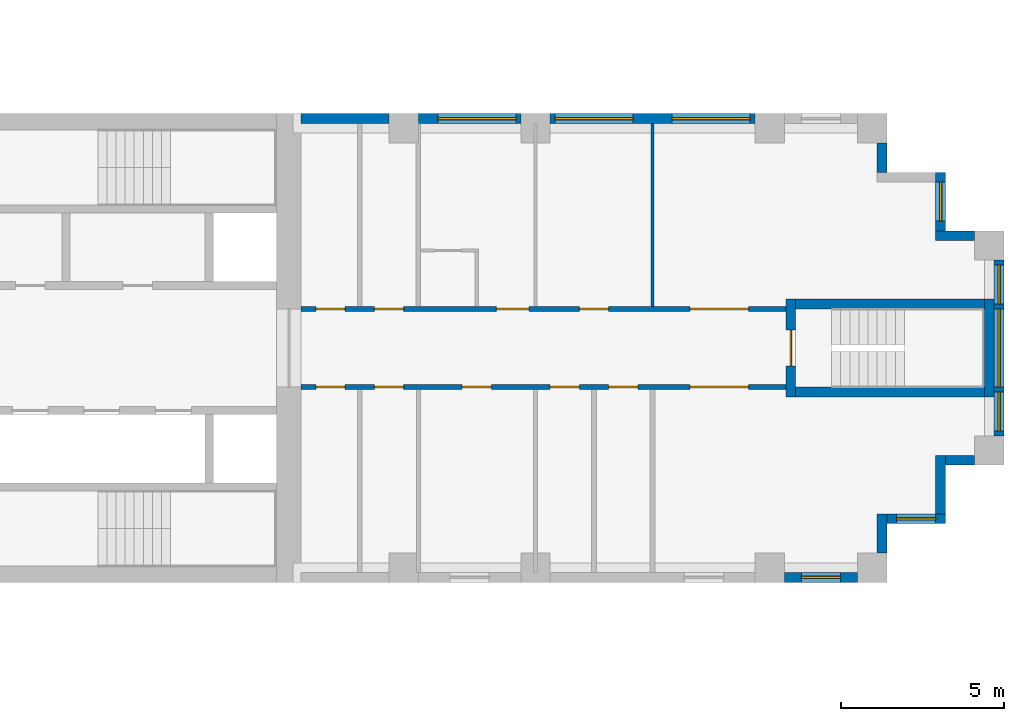
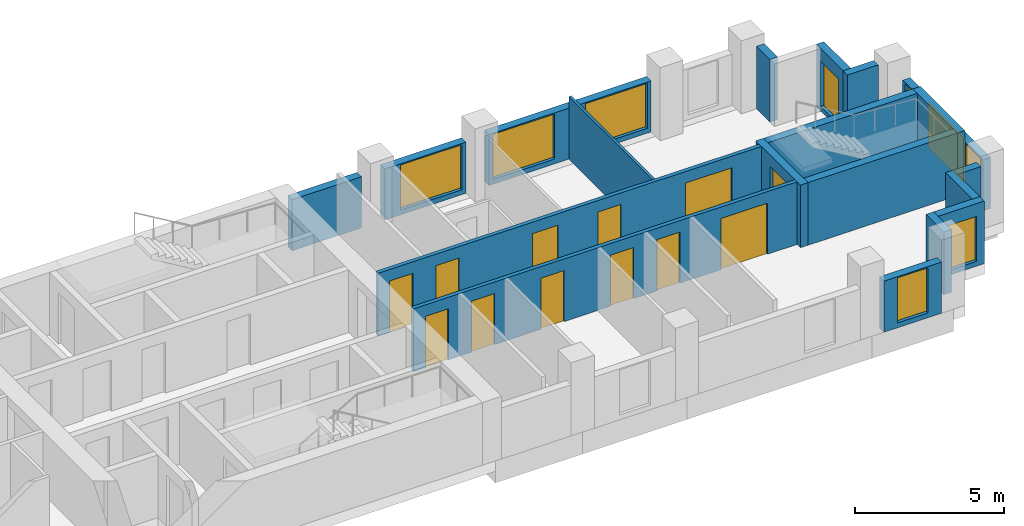
# One storey, part 10 of 13: 19 walls, 12 doors, 9 windows, 21 openings.
"""IFC4 building model written with IfcOpenShell, lengths in metres."""

from ifc_helpers import new_model, si_unit, direction, frame, frame_2d, origin, place, context, subcontext, project, spatial, rectangle, extrude, material, layer, layer_set, type_object, element, fill, save


model = new_model("IFC4")

# Units and contexts
model_context = context("Model", 3, precision=1e-05, world=origin(), true_north=direction((0.0, 1.0)))
body_context = subcontext(model_context, "Body", "Model", "MODEL_VIEW")
ifc_project = project(units=[si_unit("LENGTHUNIT", "METRE"), si_unit("AREAUNIT", "SQUARE_METRE"), si_unit("VOLUMEUNIT", "CUBIC_METRE"), si_unit("PLANEANGLEUNIT", "RADIAN"), si_unit("MASSUNIT", "GRAM", prefix="KILO")], contexts=[model_context])

# Site, building, storey
site_placement = place(None, origin())
site = spatial("IfcSite", under=ifc_project, at=site_placement, CompositionType="ELEMENT")
building_placement = place(site_placement, origin())
building = spatial("IfcBuilding", under=site, at=building_placement, Name="Fustian Cross Tower", CompositionType="ELEMENT")
storey_placement = place(building_placement, frame((0.0, 0.0, 81.89990234375)))
storey = spatial("IfcBuildingStorey", under=building, at=storey_placement, Name="L25", CompositionType="ELEMENT", Elevation=81.89990234375)

# Wall, openings, doors
ifc_material_1 = material(Name="Plasterboard on steel stud", Category="steel")
ifc_layer_1 = layer(ifc_material_1, 0.14990234375)
ifc_layer_set_1 = layer_set([ifc_layer_1], Name="Plasterboard on steel stud")
wall_type_1 = type_object("IfcWallType", Name="COMPARTMENT WALL 150 EI 60", PredefinedType="PARTITIONING", material=ifc_layer_set_1)
wall_1_placement = place(storey_placement, frame((21.60009765625, -1.199951171875, 0.0), z_axis=(0.0, 0.0, 1.0), x_axis=(1.0, 0.0, 0.0)))
wall_1 = element("IfcWall", 1, at=wall_1_placement, inside=storey, type_object=wall_type_1, Name="Partition 55", PredefinedType="PARTITIONING", context=body_context, shape_type="SweptSolid", body=[
    extrude(rectangle(XDim=14.89990234375, YDim=0.14990234375, at=frame_2d((7.449951171875, 0.0))), origin(), (0.0, 0.0, 1.0), 2.5751953125),
])
opening_1_placement = place(wall_1_placement, frame((0.449951171875, 0.0, 0.0)))
opening_1 = element("IfcOpeningElement", 2, at=opening_1_placement, cuts=wall_1, Name="Opening D12015", PredefinedType="OPENING", context=body_context, shape_type="SweptSolid", body=[
    extrude(rectangle(XDim=0.89990234375, YDim=2.10009765625, at=frame_2d((0.449951171875, 1.050048828125))), frame((0.0, 0.0849609375, 0.0), z_axis=(0.0, -1.0, 0.0), x_axis=(1.0, 0.0, 0.0)), (0.0, 0.0, 1.0), 0.169921875),
])
opening_2_placement = place(wall_1_placement, frame((2.25, 0.0, 0.0)))
opening_2 = element("IfcOpeningElement", 3, at=opening_2_placement, cuts=wall_1, Name="Opening D12016", PredefinedType="OPENING", context=body_context, shape_type="SweptSolid", body=[
    extrude(rectangle(XDim=0.89990234375, YDim=2.10009765625, at=frame_2d((0.449951171875, 1.050048828125))), frame((0.0, 0.0849609375, 0.0), z_axis=(0.0, -1.0, 0.0), x_axis=(1.0, 0.0, 0.0)), (0.0, 0.0, 1.0), 0.169921875),
])
opening_3_placement = place(wall_1_placement, frame((4.949951171875, 0.0, 0.0)))
opening_3 = element("IfcOpeningElement", 4, at=opening_3_placement, cuts=wall_1, Name="Opening D12017", PredefinedType="OPENING", context=body_context, shape_type="SweptSolid", body=[
    extrude(rectangle(XDim=0.89990234375, YDim=2.10009765625, at=frame_2d((0.449951171875, 1.050048828125))), frame((0.0, 0.0849609375, 0.0), z_axis=(0.0, -1.0, 0.0), x_axis=(1.0, 0.0, 0.0)), (0.0, 0.0, 1.0), 0.169921875),
])
opening_4_placement = place(wall_1_placement, frame((7.64990234375, 0.0, 0.0)))
opening_4 = element("IfcOpeningElement", 5, at=opening_4_placement, cuts=wall_1, Name="Opening D12018", PredefinedType="OPENING", context=body_context, shape_type="SweptSolid", body=[
    extrude(rectangle(XDim=0.89990234375, YDim=2.10009765625, at=frame_2d((0.449951171875, 1.050048828125))), frame((0.0, 0.0849609375, 0.0), z_axis=(0.0, -1.0, 0.0), x_axis=(1.0, 0.0, 0.0)), (0.0, 0.0, 1.0), 0.169921875),
])
opening_5_placement = place(wall_1_placement, frame((9.449951171875, 0.0, 0.0)))
opening_5 = element("IfcOpeningElement", 6, at=opening_5_placement, cuts=wall_1, Name="Opening D12019", PredefinedType="OPENING", context=body_context, shape_type="SweptSolid", body=[
    extrude(rectangle(XDim=0.89990234375, YDim=2.10009765625, at=frame_2d((0.449951171875, 1.050048828125))), frame((0.0, 0.0849609375, 0.0), z_axis=(0.0, -1.0, 0.0), x_axis=(1.0, 0.0, 0.0)), (0.0, 0.0, 1.0), 0.169921875),
])
opening_6_placement = place(wall_1_placement, frame((11.949951171875, 0.0, 0.0)))
opening_6 = element("IfcOpeningElement", 7, at=opening_6_placement, cuts=wall_1, Name="Opening D12020", PredefinedType="OPENING", context=body_context, shape_type="SweptSolid", body=[
    extrude(rectangle(XDim=1.800048828125, YDim=2.10009765625, at=frame_2d((0.89990234375, 1.050048828125))), frame((0.0, 0.0849609375, 0.0), z_axis=(0.0, -1.0, 0.0), x_axis=(1.0, 0.0, 0.0)), (0.0, 0.0, 1.0), 0.169921875),
])
ifc_material_2 = material(Name="Timber fire door set", Category="wood")
door_type_1 = type_object("IfcDoorType", Name="FIRE DOUBLE DOOR 1800 FD30S", OperationType="DOUBLE_DOOR_DOUBLE_SWING", PredefinedType="DOOR", material=ifc_material_2)
door_1_placement = place(opening_6_placement, origin())
door_1 = element("IfcDoor", 8, at=door_1_placement, inside=storey, type_object=door_type_1, Name="Door D12020", OperationType="DOUBLE_DOOR_DOUBLE_SWING", OverallHeight=2.10009765625, OverallWidth=1.800048828125, PredefinedType="DOOR", context=body_context, shape_type="SweptSolid", body=[
    extrude(rectangle(XDim=1.800048828125, YDim=2.10009765625, at=frame_2d((0.89990234375, 1.050048828125))), frame((0.0, 0.02490234375, 0.0), z_axis=(0.0, -1.0, 0.0), x_axis=(1.0, 0.0, 0.0)), (0.0, 0.0, 1.0), 0.050048828125),
])
fill(opening_6, door_1)
ifc_material_3 = material(Name="Timber fire door set", Category="wood")
door_type_2 = type_object("IfcDoorType", Name="FIRE SWING DOOR 900 FD30S", OperationType="SINGLE_SWING_LEFT", PredefinedType="DOOR", material=ifc_material_3)
door_2_placement = place(opening_1_placement, frame((0.89990234375, 0.0, 0.0), z_axis=(0.0, 0.0, 1.0), x_axis=(-1.0, 0.0, 0.0)))
door_2 = element("IfcDoor", 9, at=door_2_placement, inside=storey, type_object=door_type_2, Name="Door D12015", OperationType="SINGLE_SWING_LEFT", OverallHeight=2.10009765625, OverallWidth=0.89990234375, PredefinedType="DOOR", context=body_context, shape_type="SweptSolid", body=[
    extrude(rectangle(XDim=0.89990234375, YDim=2.10009765625, at=frame_2d((0.449951171875, 1.050048828125))), frame((0.0, 0.02490234375, 0.0), z_axis=(0.0, -1.0, 0.0), x_axis=(1.0, 0.0, 0.0)), (0.0, 0.0, 1.0), 0.050048828125),
])
fill(opening_1, door_2)
door_3_placement = place(opening_2_placement, frame((0.89990234375, 0.0, 0.0), z_axis=(0.0, 0.0, 1.0), x_axis=(-1.0, 0.0, 0.0)))
door_3 = element("IfcDoor", 10, at=door_3_placement, inside=storey, type_object=door_type_2, Name="Door D12016", OperationType="SINGLE_SWING_LEFT", OverallHeight=2.10009765625, OverallWidth=0.89990234375, PredefinedType="DOOR", context=body_context, shape_type="SweptSolid", body=[
    extrude(rectangle(XDim=0.89990234375, YDim=2.10009765625, at=frame_2d((0.449951171875, 1.050048828125))), frame((0.0, 0.02490234375, 0.0), z_axis=(0.0, -1.0, 0.0), x_axis=(1.0, 0.0, 0.0)), (0.0, 0.0, 1.0), 0.050048828125),
])
fill(opening_2, door_3)
door_4_placement = place(opening_3_placement, frame((0.89990234375, 0.0, 0.0), z_axis=(0.0, 0.0, 1.0), x_axis=(-1.0, 0.0, 0.0)))
door_4 = element("IfcDoor", 11, at=door_4_placement, inside=storey, type_object=door_type_2, Name="Door D12017", OperationType="SINGLE_SWING_RIGHT", OverallHeight=2.10009765625, OverallWidth=0.89990234375, PredefinedType="DOOR", context=body_context, shape_type="SweptSolid", body=[
    extrude(rectangle(XDim=0.89990234375, YDim=2.10009765625, at=frame_2d((0.449951171875, 1.050048828125))), frame((0.0, 0.02490234375, 0.0), z_axis=(0.0, -1.0, 0.0), x_axis=(1.0, 0.0, 0.0)), (0.0, 0.0, 1.0), 0.050048828125),
])
fill(opening_3, door_4)
door_5_placement = place(opening_4_placement, frame((0.89990234375, 0.0, 0.0), z_axis=(0.0, 0.0, 1.0), x_axis=(-1.0, 0.0, 0.0)))
door_5 = element("IfcDoor", 12, at=door_5_placement, inside=storey, type_object=door_type_2, Name="Door D12018", OperationType="SINGLE_SWING_LEFT", OverallHeight=2.10009765625, OverallWidth=0.89990234375, PredefinedType="DOOR", context=body_context, shape_type="SweptSolid", body=[
    extrude(rectangle(XDim=0.89990234375, YDim=2.10009765625, at=frame_2d((0.449951171875, 1.050048828125))), frame((0.0, 0.02490234375, 0.0), z_axis=(0.0, -1.0, 0.0), x_axis=(1.0, 0.0, 0.0)), (0.0, 0.0, 1.0), 0.050048828125),
])
fill(opening_4, door_5)
door_6_placement = place(opening_5_placement, frame((0.89990234375, 0.0, 0.0), z_axis=(0.0, 0.0, 1.0), x_axis=(-1.0, 0.0, 0.0)))
door_6 = element("IfcDoor", 13, at=door_6_placement, inside=storey, type_object=door_type_2, Name="Door D12019", OperationType="SINGLE_SWING_LEFT", OverallHeight=2.10009765625, OverallWidth=0.89990234375, PredefinedType="DOOR", context=body_context, shape_type="SweptSolid", body=[
    extrude(rectangle(XDim=0.89990234375, YDim=2.10009765625, at=frame_2d((0.449951171875, 1.050048828125))), frame((0.0, 0.02490234375, 0.0), z_axis=(0.0, -1.0, 0.0), x_axis=(1.0, 0.0, 0.0)), (0.0, 0.0, 1.0), 0.050048828125),
])
fill(opening_5, door_6)

wall_2_placement = place(storey_placement, frame((21.60009765625, 1.199951171875, 0.0), z_axis=(0.0, 0.0, 1.0), x_axis=(1.0, 0.0, 0.0)))
wall_2 = element("IfcWall", 14, at=wall_2_placement, inside=storey, type_object=wall_type_1, Name="Partition 56", PredefinedType="PARTITIONING", context=body_context, shape_type="SweptSolid", body=[
    extrude(rectangle(XDim=14.89990234375, YDim=0.14990234375, at=frame_2d((7.449951171875, 0.0))), origin(), (0.0, 0.0, 1.0), 2.5751953125),
])
opening_7_placement = place(wall_2_placement, frame((0.449951171875, 0.0, 0.0)))
opening_7 = element("IfcOpeningElement", 15, at=opening_7_placement, cuts=wall_2, Name="Opening D12009", PredefinedType="OPENING", context=body_context, shape_type="SweptSolid", body=[
    extrude(rectangle(XDim=0.89990234375, YDim=2.10009765625, at=frame_2d((0.449951171875, 1.050048828125))), frame((0.0, 0.0849609375, 0.0), z_axis=(0.0, -1.0, 0.0), x_axis=(1.0, 0.0, 0.0)), (0.0, 0.0, 1.0), 0.169921875),
])
opening_8_placement = place(wall_2_placement, frame((2.25, 0.0, 0.0)))
opening_8 = element("IfcOpeningElement", 16, at=opening_8_placement, cuts=wall_2, Name="Opening D12010", PredefinedType="OPENING", context=body_context, shape_type="SweptSolid", body=[
    extrude(rectangle(XDim=0.89990234375, YDim=2.10009765625, at=frame_2d((0.449951171875, 1.050048828125))), frame((0.0, 0.0849609375, 0.0), z_axis=(0.0, -1.0, 0.0), x_axis=(1.0, 0.0, 0.0)), (0.0, 0.0, 1.0), 0.169921875),
])
opening_9_placement = place(wall_2_placement, frame((6.0, 0.0, 0.0)))
opening_9 = element("IfcOpeningElement", 17, at=opening_9_placement, cuts=wall_2, Name="Opening D12012", PredefinedType="OPENING", context=body_context, shape_type="SweptSolid", body=[
    extrude(rectangle(XDim=1.0, YDim=2.10009765625, at=frame_2d((0.5, 1.050048828125))), frame((0.0, 0.0849609375, 0.0), z_axis=(0.0, -1.0, 0.0), x_axis=(1.0, 0.0, 0.0)), (0.0, 0.0, 1.0), 0.169921875),
])
opening_10_placement = place(wall_2_placement, frame((8.550048828125, 0.0, 0.0)))
opening_10 = element("IfcOpeningElement", 18, at=opening_10_placement, cuts=wall_2, Name="Opening D12013", PredefinedType="OPENING", context=body_context, shape_type="SweptSolid", body=[
    extrude(rectangle(XDim=0.89990234375, YDim=2.10009765625, at=frame_2d((0.449951171875, 1.050048828125))), frame((0.0, 0.0849609375, 0.0), z_axis=(0.0, -1.0, 0.0), x_axis=(1.0, 0.0, 0.0)), (0.0, 0.0, 1.0), 0.169921875),
])
opening_11_placement = place(wall_2_placement, frame((11.949951171875, 0.0, 0.0)))
opening_11 = element("IfcOpeningElement", 19, at=opening_11_placement, cuts=wall_2, Name="Opening D12014", PredefinedType="OPENING", context=body_context, shape_type="SweptSolid", body=[
    extrude(rectangle(XDim=1.800048828125, YDim=2.10009765625, at=frame_2d((0.89990234375, 1.050048828125))), frame((0.0, 0.0849609375, 0.0), z_axis=(0.0, -1.0, 0.0), x_axis=(1.0, 0.0, 0.0)), (0.0, 0.0, 1.0), 0.169921875),
])
door_7_placement = place(opening_11_placement, frame((1.800048828125, 0.0, 0.0), z_axis=(0.0, 0.0, 1.0), x_axis=(-1.0, 0.0, 0.0)))
door_7 = element("IfcDoor", 20, at=door_7_placement, inside=storey, type_object=door_type_1, Name="Door D12014", OperationType="DOUBLE_DOOR_DOUBLE_SWING", OverallHeight=2.10009765625, OverallWidth=1.800048828125, PredefinedType="DOOR", context=body_context, shape_type="SweptSolid", body=[
    extrude(rectangle(XDim=1.800048828125, YDim=2.10009765625, at=frame_2d((0.89990234375, 1.050048828125))), frame((0.0, 0.02490234375, 0.0), z_axis=(0.0, -1.0, 0.0), x_axis=(1.0, 0.0, 0.0)), (0.0, 0.0, 1.0), 0.050048828125),
])
fill(opening_11, door_7)
ifc_material_4 = material(Name="Timber fire door set", Category="wood")
door_type_3 = type_object("IfcDoorType", Name="FIRE SWING DOOR 1000 FD30S", OperationType="SINGLE_SWING_LEFT", PredefinedType="DOOR", material=ifc_material_4)
door_8_placement = place(opening_9_placement, origin())
door_8 = element("IfcDoor", 21, at=door_8_placement, inside=storey, type_object=door_type_3, Name="Door D12012", OperationType="SINGLE_SWING_RIGHT", OverallHeight=2.10009765625, OverallWidth=1.0, PredefinedType="DOOR", context=body_context, shape_type="SweptSolid", body=[
    extrude(rectangle(XDim=1.0, YDim=2.10009765625, at=frame_2d((0.5, 1.050048828125))), frame((0.0, 0.02490234375, 0.0), z_axis=(0.0, -1.0, 0.0), x_axis=(1.0, 0.0, 0.0)), (0.0, 0.0, 1.0), 0.050048828125),
])
fill(opening_9, door_8)
door_9_placement = place(opening_7_placement, frame((0.89990234375, 0.0, 0.0), z_axis=(0.0, 0.0, 1.0), x_axis=(-1.0, 0.0, 0.0)))
door_9 = element("IfcDoor", 22, at=door_9_placement, inside=storey, type_object=door_type_2, Name="Door D12009", OperationType="SINGLE_SWING_RIGHT", OverallHeight=2.10009765625, OverallWidth=0.89990234375, PredefinedType="DOOR", context=body_context, shape_type="SweptSolid", body=[
    extrude(rectangle(XDim=0.89990234375, YDim=2.10009765625, at=frame_2d((0.449951171875, 1.050048828125))), frame((0.0, 0.02490234375, 0.0), z_axis=(0.0, -1.0, 0.0), x_axis=(1.0, 0.0, 0.0)), (0.0, 0.0, 1.0), 0.050048828125),
])
fill(opening_7, door_9)
door_10_placement = place(opening_8_placement, origin())
door_10 = element("IfcDoor", 23, at=door_10_placement, inside=storey, type_object=door_type_2, Name="Door D12010", OperationType="SINGLE_SWING_RIGHT", OverallHeight=2.10009765625, OverallWidth=0.89990234375, PredefinedType="DOOR", context=body_context, shape_type="SweptSolid", body=[
    extrude(rectangle(XDim=0.89990234375, YDim=2.10009765625, at=frame_2d((0.449951171875, 1.050048828125))), frame((0.0, 0.02490234375, 0.0), z_axis=(0.0, -1.0, 0.0), x_axis=(1.0, 0.0, 0.0)), (0.0, 0.0, 1.0), 0.050048828125),
])
fill(opening_8, door_10)
door_11_placement = place(opening_10_placement, origin())
door_11 = element("IfcDoor", 24, at=door_11_placement, inside=storey, type_object=door_type_2, Name="Door D12013", OperationType="SINGLE_SWING_LEFT", OverallHeight=2.10009765625, OverallWidth=0.89990234375, PredefinedType="DOOR", context=body_context, shape_type="SweptSolid", body=[
    extrude(rectangle(XDim=0.89990234375, YDim=2.10009765625, at=frame_2d((0.449951171875, 1.050048828125))), frame((0.0, 0.02490234375, 0.0), z_axis=(0.0, -1.0, 0.0), x_axis=(1.0, 0.0, 0.0)), (0.0, 0.0, 1.0), 0.050048828125),
])
fill(opening_10, door_11)

# Wall
ifc_material_5 = material(Name="Plasterboard on steel stud", Category="steel")
ifc_layer_2 = layer(ifc_material_5, 0.10009765625)
ifc_layer_set_2 = layer_set([ifc_layer_2], Name="Plasterboard on steel stud")
wall_type_2 = type_object("IfcWallType", Name="PARTITION 100 STUD", PredefinedType="PARTITIONING", material=ifc_layer_set_2)
wall_3_placement = place(storey_placement, frame((32.39990234375, 1.27490234375, 0.0), z_axis=(0.0, 0.0, 1.0), x_axis=(0.0, 1.0, 0.0)))
element("IfcWall", 25, at=wall_3_placement, inside=storey, type_object=wall_type_2, Name="Partition 67", PredefinedType="PARTITIONING", context=body_context, shape_type="SweptSolid", body=[
    extrude(rectangle(XDim=5.625, YDim=0.10009765625, at=frame_2d((2.8125, 0.0))), origin(), (0.0, 0.0, 1.0), 2.5751953125),
])

# Wall, opening, door
ifc_material_6 = material(Name="Concrete C50/60", Category="concrete")
ifc_layer_3 = layer(ifc_material_6, 0.300048828125)
ifc_layer_set_3 = layer_set([ifc_layer_3], Name="Concrete C50/60")
wall_type_3 = type_object("IfcWallType", Name="STAIR ENCLOSURE WALL 300 C50/60", PredefinedType="SHEAR", material=ifc_layer_set_3)
wall_4_placement = place(storey_placement, frame((36.64990234375, -1.5, 0.0), z_axis=(0.0, 0.0, 1.0), x_axis=(0.0, 1.0, 0.0)))
wall_4 = element("IfcWall", 26, at=wall_4_placement, inside=storey, type_object=wall_type_3, Name="Stair enclosure wall", PredefinedType="SHEAR", context=body_context, shape_type="SweptSolid", body=[
    extrude(rectangle(XDim=3.0, YDim=0.300048828125, at=frame_2d((1.5, 0.0))), origin(), (0.0, 0.0, 1.0), 2.5751953125),
])
opening_12_placement = place(wall_4_placement, frame((0.949951171875, 0.0, 0.0)))
opening_12 = element("IfcOpeningElement", 27, at=opening_12_placement, cuts=wall_4, Name="Opening CD-10-32", PredefinedType="OPENING", context=body_context, shape_type="SweptSolid", body=[
    extrude(rectangle(XDim=1.10009765625, YDim=2.10009765625, at=frame_2d((0.550048828125, 1.050048828125))), frame((0.0, 0.159912109375, 0.0), z_axis=(0.0, -1.0, 0.0), x_axis=(1.0, 0.0, 0.0)), (0.0, 0.0, 1.0), 0.320068359375),
])
ifc_material_7 = material(Name="Steel", Category="steel")
door_type_4 = type_object("IfcDoorType", Name="FIRE DOOR FD60S 1100X2100", OperationType="SINGLE_SWING_LEFT", PredefinedType="DOOR", material=ifc_material_7)
door_12_placement = place(opening_12_placement, frame((1.10009765625, 0.0, 0.0), z_axis=(0.0, 0.0, 1.0), x_axis=(-1.0, 0.0, 0.0)))
door_12 = element("IfcDoor", 28, at=door_12_placement, inside=storey, type_object=door_type_4, Name="Core door CD-10-32", OperationType="SINGLE_SWING_RIGHT", OverallHeight=2.10009765625, OverallWidth=1.10009765625, PredefinedType="DOOR", context=body_context, shape_type="SweptSolid", body=[
    extrude(rectangle(XDim=1.10009765625, YDim=2.10009765625, at=frame_2d((0.550048828125, 1.050048828125))), frame((0.0, 0.02490234375, 0.0), z_axis=(0.0, -1.0, 0.0), x_axis=(1.0, 0.0, 0.0)), (0.0, 0.0, 1.0), 0.050048828125),
])
fill(opening_12, door_12)

# Walls
wall_5_placement = place(storey_placement, frame((42.75, -1.5, 0.0), z_axis=(0.0, 0.0, 1.0), x_axis=(0.0, 1.0, 0.0)))
element("IfcWall", 29, at=wall_5_placement, inside=storey, type_object=wall_type_3, Name="Stair enclosure wall", PredefinedType="SHEAR", context=body_context, shape_type="SweptSolid", body=[
    extrude(rectangle(XDim=3.0, YDim=0.300048828125, at=frame_2d((1.5, 0.0))), origin(), (0.0, 0.0, 1.0), 2.5751953125),
])
for number, where, z_axis, x_axis, name in (
    (30, (36.800048828125, -1.35009765625, 0.0), (0.0, 0.0, 1.0), (1.0, 0.0, 0.0), "Stair enclosure wall"),
    (31, (36.800048828125, 1.35009765625, 0.0), (0.0, 0.0, 1.0), (1.0, 0.0, 0.0), "Stair enclosure wall"),
):
    element("IfcWall", number, at=place(storey_placement, frame(where, z_axis=z_axis, x_axis=x_axis)), inside=storey, type_object=wall_type_3, Name=name, PredefinedType="SHEAR", context=body_context, shape_type="SweptSolid", body=[
        extrude(rectangle(XDim=5.800048828125, YDim=0.300048828125, at=frame_2d((2.89990234375, 0.0))), origin(), (0.0, 0.0, 1.0), 2.5751953125),
    ])

# Wall, opening, window
ifc_material_8 = material(Name="Dark aluminium cladding on insulated backing wall", Category="aluminium")
ifc_layer_4 = layer(ifc_material_8, 0.300048828125)
ifc_layer_set_4 = layer_set([ifc_layer_4], Name="Dark aluminium cladding on insulated backing wall")
wall_type_4 = type_object("IfcWallType", Name="XW1 EXTERNAL WALL 300", PredefinedType="SOLIDWALL", material=ifc_layer_set_4)
wall_6_placement = place(storey_placement, frame((36.449951171875, -7.050048828125, 0.0), z_axis=(0.0, 0.0, 1.0), x_axis=(1.0, 0.0, 0.0)))
wall_6 = element("IfcWall", 32, at=wall_6_placement, inside=storey, type_object=wall_type_4, Name="External wall", PredefinedType="SOLIDWALL", context=body_context, shape_type="SweptSolid", body=[
    extrude(rectangle(XDim=2.25, YDim=0.300048828125, at=frame_2d((1.125, 0.0))), origin(), (0.0, 0.0, 1.0), 2.10009765625),
])
opening_13_placement = place(wall_6_placement, frame((0.52490234375, 0.0, 0.199951171875)))
opening_13 = element("IfcOpeningElement", 33, at=opening_13_placement, cuts=wall_6, Name="Opening WN3", PredefinedType="OPENING", context=body_context, shape_type="SweptSolid", body=[
    extrude(rectangle(XDim=1.199951171875, YDim=1.85009765625, at=frame_2d((0.60009765625, 0.925048828125))), frame((0.0, 0.159912109375, 0.0), z_axis=(0.0, -1.0, 0.0), x_axis=(1.0, 0.0, 0.0)), (0.0, 0.0, 1.0), 0.320068359375),
])
ifc_material_9 = material(Name="Dark anodised aluminium and double glazing", Category="aluminium")
window_type_1 = type_object("IfcWindowType", Name="WN3 WINDOW 1200X1850", PartitioningType="SINGLE_PANEL", PredefinedType="WINDOW", material=ifc_material_9)
window_1_placement = place(opening_13_placement, origin())
window_1 = element("IfcWindow", 34, at=window_1_placement, inside=storey, type_object=window_type_1, Name="Window", OverallHeight=1.85009765625, OverallWidth=1.199951171875, PartitioningType="SINGLE_PANEL", PredefinedType="WINDOW", context=body_context, shape_type="SweptSolid", body=[
    extrude(rectangle(XDim=1.199951171875, YDim=1.85009765625, at=frame_2d((0.60009765625, 0.925048828125))), frame((0.0, 0.030029296875, 0.0), z_axis=(0.0, -1.0, 0.0), x_axis=(1.0, 0.0, 0.0)), (0.0, 0.0, 1.0), 0.06005859375),
])
fill(opening_13, window_1)

# Wall
wall_7_placement = place(storey_placement, frame((39.449951171875, -6.300048828125, 0.0), z_axis=(0.0, 0.0, 1.0), x_axis=(0.0, 1.0, 0.0)))
element("IfcWall", 35, at=wall_7_placement, inside=storey, type_object=wall_type_4, Name="External wall", PredefinedType="SOLIDWALL", context=body_context, shape_type="SweptSolid", body=[
    extrude(rectangle(XDim=1.199951171875, YDim=0.300048828125, at=frame_2d((0.60009765625, 0.0))), origin(), (0.0, 0.0, 1.0), 2.5751953125),
])

# Wall, opening, window
wall_8_placement = place(storey_placement, frame((39.60009765625, -5.25, 0.0), z_axis=(0.0, 0.0, 1.0), x_axis=(1.0, 0.0, 0.0)))
wall_8 = element("IfcWall", 36, at=wall_8_placement, inside=storey, type_object=wall_type_4, Name="External wall", PredefinedType="SOLIDWALL", context=body_context, shape_type="SweptSolid", body=[
    extrude(rectangle(XDim=1.7998046875, YDim=0.300048828125, at=frame_2d((0.89990234375, 0.0))), origin(), (0.0, 0.0, 1.0), 2.5751953125),
])
opening_14_placement = place(wall_8_placement, frame((0.300048828125, 0.0, 0.199951171875)))
opening_14 = element("IfcOpeningElement", 37, at=opening_14_placement, cuts=wall_8, Name="Opening WN3", PredefinedType="OPENING", context=body_context, shape_type="SweptSolid", body=[
    extrude(rectangle(XDim=1.199951171875, YDim=1.85009765625, at=frame_2d((0.60009765625, 0.925048828125))), frame((0.0, 0.159912109375, 0.0), z_axis=(0.0, -1.0, 0.0), x_axis=(1.0, 0.0, 0.0)), (0.0, 0.0, 1.0), 0.320068359375),
])
window_2_placement = place(opening_14_placement, origin())
window_2 = element("IfcWindow", 38, at=window_2_placement, inside=storey, type_object=window_type_1, Name="Window", OverallHeight=1.85009765625, OverallWidth=1.199951171875, PartitioningType="SINGLE_PANEL", PredefinedType="WINDOW", context=body_context, shape_type="SweptSolid", body=[
    extrude(rectangle(XDim=1.199951171875, YDim=1.85009765625, at=frame_2d((0.60009765625, 0.925048828125))), frame((0.0, 0.030029296875, 0.0), z_axis=(0.0, -1.0, 0.0), x_axis=(1.0, 0.0, 0.0)), (0.0, 0.0, 1.0), 0.06005859375),
])
fill(opening_14, window_2)

# Walls
wall_9_placement = place(storey_placement, frame((41.25, -5.10009765625, 0.0), z_axis=(0.0, 0.0, 1.0), x_axis=(0.0, 1.0, 0.0)))
element("IfcWall", 39, at=wall_9_placement, inside=storey, type_object=wall_type_4, Name="External wall", PredefinedType="SOLIDWALL", context=body_context, shape_type="SweptSolid", body=[
    extrude(rectangle(XDim=1.800048828125, YDim=0.300048828125, at=frame_2d((0.89990234375, 0.0))), origin(), (0.0, 0.0, 1.0), 2.5751953125),
])
wall_10_placement = place(storey_placement, frame((41.39990234375, -3.449951171875, 0.0), z_axis=(0.0, 0.0, 1.0), x_axis=(1.0, 0.0, 0.0)))
element("IfcWall", 40, at=wall_10_placement, inside=storey, type_object=wall_type_4, Name="External wall", PredefinedType="SOLIDWALL", context=body_context, shape_type="SweptSolid", body=[
    extrude(rectangle(XDim=0.900146484375, YDim=0.300048828125, at=frame_2d((0.4501953125, 0.0))), origin(), (0.0, 0.0, 1.0), 2.5751953125),
])

# Wall, openings, windows
wall_11_placement = place(storey_placement, frame((43.050048828125, -2.699951171875, 0.0), z_axis=(0.0, 0.0, 1.0), x_axis=(0.0, 1.0, 0.0)))
wall_11 = element("IfcWall", 41, at=wall_11_placement, inside=storey, type_object=wall_type_4, Name="External wall", PredefinedType="SOLIDWALL", context=body_context, shape_type="SweptSolid", body=[
    extrude(rectangle(XDim=5.39990234375, YDim=0.300048828125, at=frame_2d((2.699951171875, 0.0))), origin(), (0.0, 0.0, 1.0), 2.10009765625),
])
opening_15_placement = place(wall_11_placement, frame((1.5, 0.0, 0.199951171875)))
opening_15 = element("IfcOpeningElement", 42, at=opening_15_placement, cuts=wall_11, Name="Opening WN1", PredefinedType="OPENING", context=body_context, shape_type="SweptSolid", body=[
    extrude(rectangle(XDim=2.39990234375, YDim=1.85009765625, at=frame_2d((1.199951171875, 0.925048828125))), frame((0.0, 0.159912109375, 0.0), z_axis=(0.0, -1.0, 0.0), x_axis=(1.0, 0.0, 0.0)), (0.0, 0.0, 1.0), 0.320068359375),
])
opening_16_placement = place(wall_11_placement, frame((0.14990234375, 0.0, 0.199951171875)))
opening_16 = element("IfcOpeningElement", 43, at=opening_16_placement, cuts=wall_11, Name="Opening WN3", PredefinedType="OPENING", context=body_context, shape_type="SweptSolid", body=[
    extrude(rectangle(XDim=1.199951171875, YDim=1.85009765625, at=frame_2d((0.60009765625, 0.925048828125))), frame((0.0, 0.159912109375, 0.0), z_axis=(0.0, -1.0, 0.0), x_axis=(1.0, 0.0, 0.0)), (0.0, 0.0, 1.0), 0.320068359375),
])
opening_17_placement = place(wall_11_placement, frame((4.050048828125, 0.0, 0.199951171875)))
opening_17 = element("IfcOpeningElement", 44, at=opening_17_placement, cuts=wall_11, Name="Opening WN3", PredefinedType="OPENING", context=body_context, shape_type="SweptSolid", body=[
    extrude(rectangle(XDim=1.199951171875, YDim=1.85009765625, at=frame_2d((0.60009765625, 0.925048828125))), frame((0.0, 0.159912109375, 0.0), z_axis=(0.0, -1.0, 0.0), x_axis=(1.0, 0.0, 0.0)), (0.0, 0.0, 1.0), 0.320068359375),
])
ifc_material_10 = material(Name="Dark anodised aluminium and double glazing", Category="aluminium")
window_type_2 = type_object("IfcWindowType", Name="WN1 WINDOW 2400X1850", PartitioningType="SINGLE_PANEL", PredefinedType="WINDOW", material=ifc_material_10)
window_3_placement = place(opening_15_placement, origin())
window_3 = element("IfcWindow", 45, at=window_3_placement, inside=storey, type_object=window_type_2, Name="Window", OverallHeight=1.85009765625, OverallWidth=2.39990234375, PartitioningType="SINGLE_PANEL", PredefinedType="WINDOW", context=body_context, shape_type="SweptSolid", body=[
    extrude(rectangle(XDim=2.39990234375, YDim=1.85009765625, at=frame_2d((1.199951171875, 0.925048828125))), frame((0.0, 0.030029296875, 0.0), z_axis=(0.0, -1.0, 0.0), x_axis=(1.0, 0.0, 0.0)), (0.0, 0.0, 1.0), 0.06005859375),
])
fill(opening_15, window_3)
window_4_placement = place(opening_16_placement, origin())
window_4 = element("IfcWindow", 46, at=window_4_placement, inside=storey, type_object=window_type_1, Name="Window", OverallHeight=1.85009765625, OverallWidth=1.199951171875, PartitioningType="SINGLE_PANEL", PredefinedType="WINDOW", context=body_context, shape_type="SweptSolid", body=[
    extrude(rectangle(XDim=1.199951171875, YDim=1.85009765625, at=frame_2d((0.60009765625, 0.925048828125))), frame((0.0, 0.030029296875, 0.0), z_axis=(0.0, -1.0, 0.0), x_axis=(1.0, 0.0, 0.0)), (0.0, 0.0, 1.0), 0.06005859375),
])
fill(opening_16, window_4)
window_5_placement = place(opening_17_placement, origin())
window_5 = element("IfcWindow", 47, at=window_5_placement, inside=storey, type_object=window_type_1, Name="Window", OverallHeight=1.85009765625, OverallWidth=1.199951171875, PartitioningType="SINGLE_PANEL", PredefinedType="WINDOW", context=body_context, shape_type="SweptSolid", body=[
    extrude(rectangle(XDim=1.199951171875, YDim=1.85009765625, at=frame_2d((0.60009765625, 0.925048828125))), frame((0.0, 0.030029296875, 0.0), z_axis=(0.0, -1.0, 0.0), x_axis=(1.0, 0.0, 0.0)), (0.0, 0.0, 1.0), 0.06005859375),
])
fill(opening_17, window_5)

# Wall
wall_12_placement = place(storey_placement, frame((42.300048828125, 3.449951171875, 0.0), z_axis=(0.0, 0.0, 1.0), x_axis=(-1.0, 0.0, 0.0)))
element("IfcWall", 48, at=wall_12_placement, inside=storey, type_object=wall_type_4, Name="External wall", PredefinedType="SOLIDWALL", context=body_context, shape_type="SweptSolid", body=[
    extrude(rectangle(XDim=1.199951171875, YDim=0.300048828125, at=frame_2d((0.60009765625, 0.0))), origin(), (0.0, 0.0, 1.0), 2.5751953125),
])

# Wall, opening, window
wall_13_placement = place(storey_placement, frame((41.25, 3.60009765625, 0.0), z_axis=(0.0, 0.0, 1.0), x_axis=(0.0, 1.0, 0.0)))
wall_13 = element("IfcWall", 49, at=wall_13_placement, inside=storey, type_object=wall_type_4, Name="External wall", PredefinedType="SOLIDWALL", context=body_context, shape_type="SweptSolid", body=[
    extrude(rectangle(XDim=1.7998046875, YDim=0.300048828125, at=frame_2d((0.89990234375, 0.0))), origin(), (0.0, 0.0, 1.0), 2.5751953125),
])
opening_18_placement = place(wall_13_placement, frame((0.300048828125, 0.0, 0.199951171875)))
opening_18 = element("IfcOpeningElement", 50, at=opening_18_placement, cuts=wall_13, Name="Opening WN3", PredefinedType="OPENING", context=body_context, shape_type="SweptSolid", body=[
    extrude(rectangle(XDim=1.199951171875, YDim=1.85009765625, at=frame_2d((0.60009765625, 0.925048828125))), frame((0.0, 0.159912109375, 0.0), z_axis=(0.0, -1.0, 0.0), x_axis=(1.0, 0.0, 0.0)), (0.0, 0.0, 1.0), 0.320068359375),
])
window_6_placement = place(opening_18_placement, origin())
window_6 = element("IfcWindow", 51, at=window_6_placement, inside=storey, type_object=window_type_1, Name="Window", OverallHeight=1.85009765625, OverallWidth=1.199951171875, PartitioningType="SINGLE_PANEL", PredefinedType="WINDOW", context=body_context, shape_type="SweptSolid", body=[
    extrude(rectangle(XDim=1.199951171875, YDim=1.85009765625, at=frame_2d((0.60009765625, 0.925048828125))), frame((0.0, 0.030029296875, 0.0), z_axis=(0.0, -1.0, 0.0), x_axis=(1.0, 0.0, 0.0)), (0.0, 0.0, 1.0), 0.06005859375),
])
fill(opening_18, window_6)

# Wall
wall_14_placement = place(storey_placement, frame((39.449951171875, 5.39990234375, 0.0), z_axis=(0.0, 0.0, 1.0), x_axis=(0.0, 1.0, 0.0)))
element("IfcWall", 52, at=wall_14_placement, inside=storey, type_object=wall_type_4, Name="External wall", PredefinedType="SOLIDWALL", context=body_context, shape_type="SweptSolid", body=[
    extrude(rectangle(XDim=0.900146484375, YDim=0.300048828125, at=frame_2d((0.4501953125, 0.0))), origin(), (0.0, 0.0, 1.0), 2.5751953125),
])

# Wall, openings, windows
wall_15_placement = place(storey_placement, frame((35.550048828125, 7.050048828125, 0.0), z_axis=(0.0, 0.0, 1.0), x_axis=(-1.0, 0.0, 0.0)))
wall_15 = element("IfcWall", 53, at=wall_15_placement, inside=storey, type_object=wall_type_4, Name="External wall", PredefinedType="SOLIDWALL", context=body_context, shape_type="SweptSolid", body=[
    extrude(rectangle(XDim=6.300048828125, YDim=0.300048828125, at=frame_2d((3.14990234375, 0.0))), origin(), (0.0, 0.0, 1.0), 2.10009765625),
])
opening_19_placement = place(wall_15_placement, frame((0.14990234375, 0.0, 0.199951171875)))
opening_19 = element("IfcOpeningElement", 54, at=opening_19_placement, cuts=wall_15, Name="Opening WN1", PredefinedType="OPENING", context=body_context, shape_type="SweptSolid", body=[
    extrude(rectangle(XDim=2.39990234375, YDim=1.85009765625, at=frame_2d((1.199951171875, 0.925048828125))), frame((0.0, 0.159912109375, 0.0), z_axis=(0.0, -1.0, 0.0), x_axis=(1.0, 0.0, 0.0)), (0.0, 0.0, 1.0), 0.320068359375),
])
opening_20_placement = place(wall_15_placement, frame((3.75, 0.0, 0.199951171875)))
opening_20 = element("IfcOpeningElement", 55, at=opening_20_placement, cuts=wall_15, Name="Opening WN1", PredefinedType="OPENING", context=body_context, shape_type="SweptSolid", body=[
    extrude(rectangle(XDim=2.39990234375, YDim=1.85009765625, at=frame_2d((1.199951171875, 0.925048828125))), frame((0.0, 0.159912109375, 0.0), z_axis=(0.0, -1.0, 0.0), x_axis=(1.0, 0.0, 0.0)), (0.0, 0.0, 1.0), 0.320068359375),
])
window_7_placement = place(opening_19_placement, origin())
window_7 = element("IfcWindow", 56, at=window_7_placement, inside=storey, type_object=window_type_2, Name="Window", OverallHeight=1.85009765625, OverallWidth=2.39990234375, PartitioningType="SINGLE_PANEL", PredefinedType="WINDOW", context=body_context, shape_type="SweptSolid", body=[
    extrude(rectangle(XDim=2.39990234375, YDim=1.85009765625, at=frame_2d((1.199951171875, 0.925048828125))), frame((0.0, 0.030029296875, 0.0), z_axis=(0.0, -1.0, 0.0), x_axis=(1.0, 0.0, 0.0)), (0.0, 0.0, 1.0), 0.06005859375),
])
fill(opening_19, window_7)
window_8_placement = place(opening_20_placement, origin())
window_8 = element("IfcWindow", 57, at=window_8_placement, inside=storey, type_object=window_type_2, Name="Window", OverallHeight=1.85009765625, OverallWidth=2.39990234375, PartitioningType="SINGLE_PANEL", PredefinedType="WINDOW", context=body_context, shape_type="SweptSolid", body=[
    extrude(rectangle(XDim=2.39990234375, YDim=1.85009765625, at=frame_2d((1.199951171875, 0.925048828125))), frame((0.0, 0.030029296875, 0.0), z_axis=(0.0, -1.0, 0.0), x_axis=(1.0, 0.0, 0.0)), (0.0, 0.0, 1.0), 0.06005859375),
])
fill(opening_20, window_8)

# Wall, opening, window
wall_16_placement = place(storey_placement, frame((28.35009765625, 7.050048828125, 0.0), z_axis=(0.0, 0.0, 1.0), x_axis=(-1.0, 0.0, 0.0)))
wall_16 = element("IfcWall", 58, at=wall_16_placement, inside=storey, type_object=wall_type_4, Name="External wall", PredefinedType="SOLIDWALL", context=body_context, shape_type="SweptSolid", body=[
    extrude(rectangle(XDim=3.150146484375, YDim=0.300048828125, at=frame_2d((1.5751953125, 0.0))), origin(), (0.0, 0.0, 1.0), 2.10009765625),
])
opening_21_placement = place(wall_16_placement, frame((0.14990234375, 0.0, 0.199951171875)))
opening_21 = element("IfcOpeningElement", 59, at=opening_21_placement, cuts=wall_16, Name="Opening WN1", PredefinedType="OPENING", context=body_context, shape_type="SweptSolid", body=[
    extrude(rectangle(XDim=2.39990234375, YDim=1.85009765625, at=frame_2d((1.199951171875, 0.925048828125))), frame((0.0, 0.159912109375, 0.0), z_axis=(0.0, -1.0, 0.0), x_axis=(1.0, 0.0, 0.0)), (0.0, 0.0, 1.0), 0.320068359375),
])
window_9_placement = place(opening_21_placement, origin())
window_9 = element("IfcWindow", 60, at=window_9_placement, inside=storey, type_object=window_type_2, Name="Window", OverallHeight=1.85009765625, OverallWidth=2.39990234375, PartitioningType="SINGLE_PANEL", PredefinedType="WINDOW", context=body_context, shape_type="SweptSolid", body=[
    extrude(rectangle(XDim=2.39990234375, YDim=1.85009765625, at=frame_2d((1.199951171875, 0.925048828125))), frame((0.0, 0.030029296875, 0.0), z_axis=(0.0, -1.0, 0.0), x_axis=(1.0, 0.0, 0.0)), (0.0, 0.0, 1.0), 0.06005859375),
])
fill(opening_21, window_9)

# Wall
wall_17_placement = place(storey_placement, frame((24.300048828125, 7.050048828125, 0.0), z_axis=(0.0, 0.0, 1.0), x_axis=(-1.0, 0.0, 0.0)))
element("IfcWall", 61, at=wall_17_placement, inside=storey, type_object=wall_type_4, Name="External wall", PredefinedType="SOLIDWALL", context=body_context, shape_type="SweptSolid", body=[
    extrude(rectangle(XDim=2.699951171875, YDim=0.300048828125, at=frame_2d((1.35009765625, 0.0))), origin(), (0.0, 0.0, 1.0), 2.10009765625),
])

save(model, "model.ifc")
